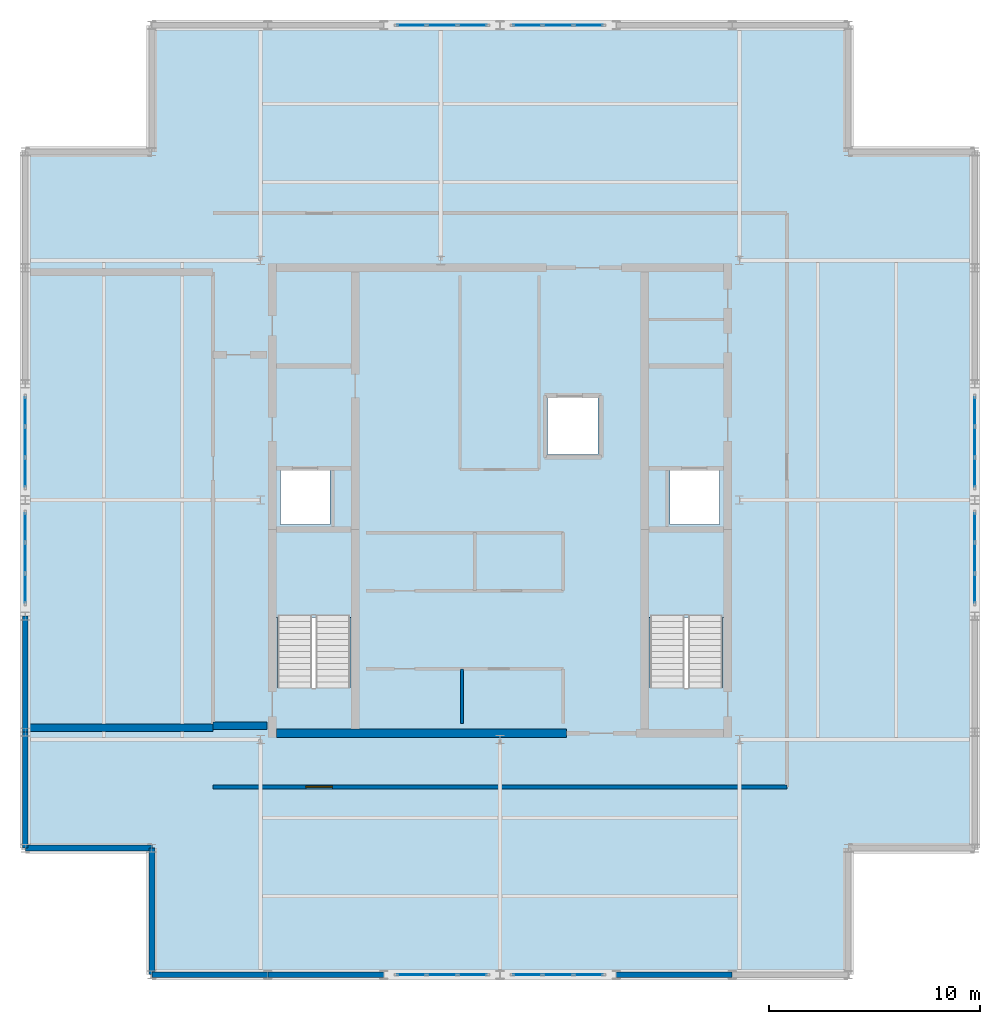
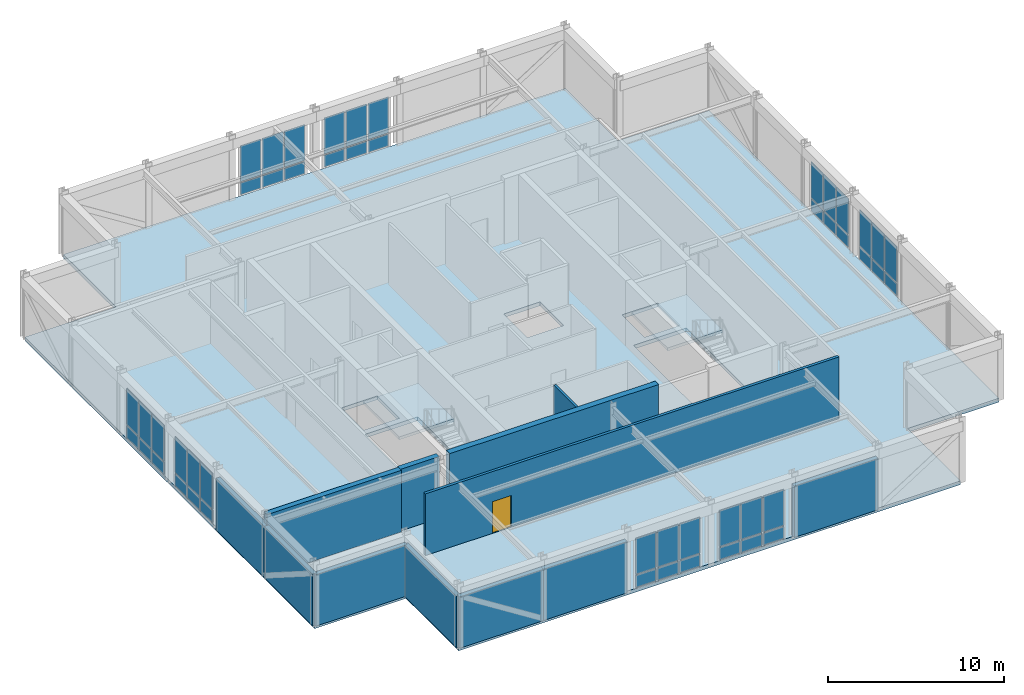
# One storey, part 6 of 9: 48 plates, 12 walls, 3 slabs, 1 door, 1 opening, 10 elements without a shape of their own.
"""IFC4 building model written with IfcOpenShell, lengths in metres."""

from ifc_helpers import new_model, si_unit, direction, frame, frame_2d, origin, origin_2d, place, context, subcontext, project, spatial, polyline, rectangle, outline, extrude, material, layer, layer_set, type_object, element, fill, aggregate, save


model = new_model("IFC4")

# Units and contexts
model_context = context("Model", 3, precision=1e-05, world=origin(), true_north=direction((0.0, 1.0)))
body_context = subcontext(model_context, "Body", "Model", "MODEL_VIEW")
ifc_project = project(units=[si_unit("LENGTHUNIT", "METRE"), si_unit("AREAUNIT", "SQUARE_METRE"), si_unit("VOLUMEUNIT", "CUBIC_METRE"), si_unit("PLANEANGLEUNIT", "RADIAN"), si_unit("MASSUNIT", "GRAM", prefix="KILO")], contexts=[model_context])

# Site, building, storey
site_placement = place(None, origin())
site = spatial("IfcSite", under=ifc_project, at=site_placement, CompositionType="ELEMENT")
building_placement = place(site_placement, origin())
building = spatial("IfcBuilding", under=site, at=building_placement, Name="Nhamokura Convention Tower", CompositionType="ELEMENT")
storey_placement = place(building_placement, frame((0.0, 0.0, 317.800048828125)))
storey = spatial("IfcBuildingStorey", under=building, at=storey_placement, Name="L78", CompositionType="ELEMENT", Elevation=317.800048828125)

# Curtain wall, plates
ifc_material_1 = material(Name="Anodised bronze aluminium AA6063-T6", Category="aluminium")
ifc_layer_1 = layer(ifc_material_1, 0.2099609375)
ifc_layer_set_1 = layer_set([ifc_layer_1], Name="CWSystem_SlantedCrown")
curtain_wall_type = type_object("IfcCurtainWallType", Name="CWSystem_SlantedCrown", PredefinedType="NOTDEFINED", material=ifc_layer_set_1)
curtain_wall_1_placement = place(storey_placement, origin())
curtain_wall_1 = element("IfcCurtainWall", 1, at=curtain_wall_1_placement, inside=storey, type_object=curtain_wall_type, Name="L78 Curtain Wall ENV-L78-CRCW-S2", PredefinedType="NOTDEFINED")
ifc_material_2 = material(Name="Solar-control bronze low-E double glass", Category="glass")
ifc_layer_2 = layer(ifc_material_2, 0.0400390625)
ifc_layer_set_2 = layer_set([ifc_layer_2], Name="CWGlazedPanel_3")
plate_type = type_object("IfcPlateType", Name="CWGlazedPanel_3", PredefinedType="CURTAIN_PANEL", material=ifc_layer_set_2)
plate_1_placement = place(storey_placement, frame((30.69677734375, 9.5, 0.079833984375), z_axis=(0.0, 0.0, 1.0), x_axis=(-1.0, 0.0, 0.0)))
plate_1 = element("IfcPlate", 2, at=plate_1_placement, type_object=plate_type, Name="CW-07 panel 1.1", PredefinedType="CURTAIN_PANEL", context=body_context, shape_type="SweptSolid", body=[
    extrude(rectangle(XDim=1.3466796875, YDim=0.0400390625, at=origin_2d()), origin(), (0.0, 0.0, 1.0), 0.830078125),
])
plate_2_placement = place(storey_placement, frame((30.69677734375, 9.5, 0.989990234375), z_axis=(0.0, 0.0, 1.0), x_axis=(-1.0, 0.0, 0.0)))
plate_2 = element("IfcPlate", 3, at=plate_2_placement, type_object=plate_type, Name="CW-07 panel 1.2", PredefinedType="CURTAIN_PANEL", context=body_context, shape_type="SweptSolid", body=[
    extrude(rectangle(XDim=1.3466796875, YDim=0.0400390625, at=origin_2d()), origin(), (0.0, 0.0, 1.0), 2.5),
])
plate_3_placement = place(storey_placement, frame((29.25, 9.5, 0.079833984375), z_axis=(0.0, 0.0, 1.0), x_axis=(-1.0, 0.0, 0.0)))
plate_3 = element("IfcPlate", 4, at=plate_3_placement, type_object=plate_type, Name="CW-07 panel 2.1", PredefinedType="CURTAIN_PANEL", context=body_context, shape_type="SweptSolid", body=[
    extrude(rectangle(XDim=1.38671875, YDim=0.0400390625, at=origin_2d()), origin(), (0.0, 0.0, 1.0), 0.830078125),
])
plate_4_placement = place(storey_placement, frame((29.25, 9.5, 0.989990234375), z_axis=(0.0, 0.0, 1.0), x_axis=(-1.0, 0.0, 0.0)))
plate_4 = element("IfcPlate", 5, at=plate_4_placement, type_object=plate_type, Name="CW-07 panel 2.2", PredefinedType="CURTAIN_PANEL", context=body_context, shape_type="SweptSolid", body=[
    extrude(rectangle(XDim=1.38671875, YDim=0.0400390625, at=origin_2d()), origin(), (0.0, 0.0, 1.0), 2.5),
])
plate_5_placement = place(storey_placement, frame((27.80322265625, 9.5, 0.079833984375), z_axis=(0.0, 0.0, 1.0), x_axis=(-1.0, 0.0, 0.0)))
plate_5 = element("IfcPlate", 6, at=plate_5_placement, type_object=plate_type, Name="CW-07 panel 3.1", PredefinedType="CURTAIN_PANEL", context=body_context, shape_type="SweptSolid", body=[
    extrude(rectangle(XDim=1.3466796875, YDim=0.0400390625, at=origin_2d()), origin(), (0.0, 0.0, 1.0), 0.830078125),
])
plate_6_placement = place(storey_placement, frame((27.80322265625, 9.5, 0.989990234375), z_axis=(0.0, 0.0, 1.0), x_axis=(-1.0, 0.0, 0.0)))
plate_6 = element("IfcPlate", 7, at=plate_6_placement, type_object=plate_type, Name="CW-07 panel 3.2", PredefinedType="CURTAIN_PANEL", context=body_context, shape_type="SweptSolid", body=[
    extrude(rectangle(XDim=1.3466796875, YDim=0.0400390625, at=origin_2d()), origin(), (0.0, 0.0, 1.0), 2.5),
])
aggregate(curtain_wall_1, [plate_1, plate_2, plate_3, plate_4, plate_5, plate_6])

curtain_wall_2_placement = place(storey_placement, origin())
curtain_wall_2 = element("IfcCurtainWall", 8, at=curtain_wall_2_placement, inside=storey, type_object=curtain_wall_type, Name="L78 Curtain Wall ENV-L78-CRCW-S3", PredefinedType="NOTDEFINED")
plate_7_placement = place(storey_placement, frame((36.19677734375, 9.5, 0.079833984375), z_axis=(0.0, 0.0, 1.0), x_axis=(-1.0, 0.0, 0.0)))
plate_7 = element("IfcPlate", 9, at=plate_7_placement, type_object=plate_type, Name="CW-07 panel 1.1", PredefinedType="CURTAIN_PANEL", context=body_context, shape_type="SweptSolid", body=[
    extrude(rectangle(XDim=1.3466796875, YDim=0.0400390625, at=origin_2d()), origin(), (0.0, 0.0, 1.0), 0.830078125),
])
plate_8_placement = place(storey_placement, frame((36.19677734375, 9.5, 0.989990234375), z_axis=(0.0, 0.0, 1.0), x_axis=(-1.0, 0.0, 0.0)))
plate_8 = element("IfcPlate", 10, at=plate_8_placement, type_object=plate_type, Name="CW-07 panel 1.2", PredefinedType="CURTAIN_PANEL", context=body_context, shape_type="SweptSolid", body=[
    extrude(rectangle(XDim=1.3466796875, YDim=0.0400390625, at=origin_2d()), origin(), (0.0, 0.0, 1.0), 2.5),
])
plate_9_placement = place(storey_placement, frame((34.75, 9.5, 0.079833984375), z_axis=(0.0, 0.0, 1.0), x_axis=(-1.0, 0.0, 0.0)))
plate_9 = element("IfcPlate", 11, at=plate_9_placement, type_object=plate_type, Name="CW-07 panel 2.1", PredefinedType="CURTAIN_PANEL", context=body_context, shape_type="SweptSolid", body=[
    extrude(rectangle(XDim=1.38671875, YDim=0.0400390625, at=origin_2d()), origin(), (0.0, 0.0, 1.0), 0.830078125),
])
plate_10_placement = place(storey_placement, frame((34.75, 9.5, 0.989990234375), z_axis=(0.0, 0.0, 1.0), x_axis=(-1.0, 0.0, 0.0)))
plate_10 = element("IfcPlate", 12, at=plate_10_placement, type_object=plate_type, Name="CW-07 panel 2.2", PredefinedType="CURTAIN_PANEL", context=body_context, shape_type="SweptSolid", body=[
    extrude(rectangle(XDim=1.38671875, YDim=0.0400390625, at=origin_2d()), origin(), (0.0, 0.0, 1.0), 2.5),
])
plate_11_placement = place(storey_placement, frame((33.30322265625, 9.5, 0.079833984375), z_axis=(0.0, 0.0, 1.0), x_axis=(-1.0, 0.0, 0.0)))
plate_11 = element("IfcPlate", 13, at=plate_11_placement, type_object=plate_type, Name="CW-07 panel 3.1", PredefinedType="CURTAIN_PANEL", context=body_context, shape_type="SweptSolid", body=[
    extrude(rectangle(XDim=1.3466796875, YDim=0.0400390625, at=origin_2d()), origin(), (0.0, 0.0, 1.0), 0.830078125),
])
plate_12_placement = place(storey_placement, frame((33.30322265625, 9.5, 0.989990234375), z_axis=(0.0, 0.0, 1.0), x_axis=(-1.0, 0.0, 0.0)))
plate_12 = element("IfcPlate", 14, at=plate_12_placement, type_object=plate_type, Name="CW-07 panel 3.2", PredefinedType="CURTAIN_PANEL", context=body_context, shape_type="SweptSolid", body=[
    extrude(rectangle(XDim=1.3466796875, YDim=0.0400390625, at=origin_2d()), origin(), (0.0, 0.0, 1.0), 2.5),
])
aggregate(curtain_wall_2, [plate_7, plate_8, plate_9, plate_10, plate_11, plate_12])

curtain_wall_3_placement = place(storey_placement, origin())
curtain_wall_3 = element("IfcCurtainWall", 15, at=curtain_wall_3_placement, inside=storey, type_object=curtain_wall_type, Name="L78 Curtain Wall ENV-L78-CRCW-N2", PredefinedType="NOTDEFINED")
plate_13_placement = place(storey_placement, frame((27.80322265625, 54.5, 0.079833984375), z_axis=(0.0, 0.0, 1.0), x_axis=(1.0, 0.0, 0.0)))
plate_13 = element("IfcPlate", 16, at=plate_13_placement, type_object=plate_type, Name="CW-07 panel 1.1", PredefinedType="CURTAIN_PANEL", context=body_context, shape_type="SweptSolid", body=[
    extrude(rectangle(XDim=1.3466796875, YDim=0.0400390625, at=origin_2d()), origin(), (0.0, 0.0, 1.0), 0.830078125),
])
plate_14_placement = place(storey_placement, frame((27.80322265625, 54.5, 0.989990234375), z_axis=(0.0, 0.0, 1.0), x_axis=(1.0, 0.0, 0.0)))
plate_14 = element("IfcPlate", 17, at=plate_14_placement, type_object=plate_type, Name="CW-07 panel 1.2", PredefinedType="CURTAIN_PANEL", context=body_context, shape_type="SweptSolid", body=[
    extrude(rectangle(XDim=1.3466796875, YDim=0.0400390625, at=origin_2d()), origin(), (0.0, 0.0, 1.0), 2.5),
])
plate_15_placement = place(storey_placement, frame((29.25, 54.5, 0.079833984375), z_axis=(0.0, 0.0, 1.0), x_axis=(1.0, 0.0, 0.0)))
plate_15 = element("IfcPlate", 18, at=plate_15_placement, type_object=plate_type, Name="CW-07 panel 2.1", PredefinedType="CURTAIN_PANEL", context=body_context, shape_type="SweptSolid", body=[
    extrude(rectangle(XDim=1.38671875, YDim=0.0400390625, at=origin_2d()), origin(), (0.0, 0.0, 1.0), 0.830078125),
])
plate_16_placement = place(storey_placement, frame((29.25, 54.5, 0.989990234375), z_axis=(0.0, 0.0, 1.0), x_axis=(1.0, 0.0, 0.0)))
plate_16 = element("IfcPlate", 19, at=plate_16_placement, type_object=plate_type, Name="CW-07 panel 2.2", PredefinedType="CURTAIN_PANEL", context=body_context, shape_type="SweptSolid", body=[
    extrude(rectangle(XDim=1.38671875, YDim=0.0400390625, at=origin_2d()), origin(), (0.0, 0.0, 1.0), 2.5),
])
plate_17_placement = place(storey_placement, frame((30.69677734375, 54.5, 0.079833984375), z_axis=(0.0, 0.0, 1.0), x_axis=(1.0, 0.0, 0.0)))
plate_17 = element("IfcPlate", 20, at=plate_17_placement, type_object=plate_type, Name="CW-07 panel 3.1", PredefinedType="CURTAIN_PANEL", context=body_context, shape_type="SweptSolid", body=[
    extrude(rectangle(XDim=1.3466796875, YDim=0.0400390625, at=origin_2d()), origin(), (0.0, 0.0, 1.0), 0.830078125),
])
plate_18_placement = place(storey_placement, frame((30.69677734375, 54.5, 0.989990234375), z_axis=(0.0, 0.0, 1.0), x_axis=(1.0, 0.0, 0.0)))
plate_18 = element("IfcPlate", 21, at=plate_18_placement, type_object=plate_type, Name="CW-07 panel 3.2", PredefinedType="CURTAIN_PANEL", context=body_context, shape_type="SweptSolid", body=[
    extrude(rectangle(XDim=1.3466796875, YDim=0.0400390625, at=origin_2d()), origin(), (0.0, 0.0, 1.0), 2.5),
])
aggregate(curtain_wall_3, [plate_13, plate_14, plate_15, plate_16, plate_17, plate_18])

curtain_wall_4_placement = place(storey_placement, origin())
curtain_wall_4 = element("IfcCurtainWall", 22, at=curtain_wall_4_placement, inside=storey, type_object=curtain_wall_type, Name="L78 Curtain Wall ENV-L78-CRCW-N3", PredefinedType="NOTDEFINED")
plate_19_placement = place(storey_placement, frame((33.30322265625, 54.5, 0.079833984375), z_axis=(0.0, 0.0, 1.0), x_axis=(1.0, 0.0, 0.0)))
plate_19 = element("IfcPlate", 23, at=plate_19_placement, type_object=plate_type, Name="CW-07 panel 1.1", PredefinedType="CURTAIN_PANEL", context=body_context, shape_type="SweptSolid", body=[
    extrude(rectangle(XDim=1.3466796875, YDim=0.0400390625, at=origin_2d()), origin(), (0.0, 0.0, 1.0), 0.830078125),
])
plate_20_placement = place(storey_placement, frame((33.30322265625, 54.5, 0.989990234375), z_axis=(0.0, 0.0, 1.0), x_axis=(1.0, 0.0, 0.0)))
plate_20 = element("IfcPlate", 24, at=plate_20_placement, type_object=plate_type, Name="CW-07 panel 1.2", PredefinedType="CURTAIN_PANEL", context=body_context, shape_type="SweptSolid", body=[
    extrude(rectangle(XDim=1.3466796875, YDim=0.0400390625, at=origin_2d()), origin(), (0.0, 0.0, 1.0), 2.5),
])
plate_21_placement = place(storey_placement, frame((34.75, 54.5, 0.079833984375), z_axis=(0.0, 0.0, 1.0), x_axis=(1.0, 0.0, 0.0)))
plate_21 = element("IfcPlate", 25, at=plate_21_placement, type_object=plate_type, Name="CW-07 panel 2.1", PredefinedType="CURTAIN_PANEL", context=body_context, shape_type="SweptSolid", body=[
    extrude(rectangle(XDim=1.38671875, YDim=0.0400390625, at=origin_2d()), origin(), (0.0, 0.0, 1.0), 0.830078125),
])
plate_22_placement = place(storey_placement, frame((34.75, 54.5, 0.989990234375), z_axis=(0.0, 0.0, 1.0), x_axis=(1.0, 0.0, 0.0)))
plate_22 = element("IfcPlate", 26, at=plate_22_placement, type_object=plate_type, Name="CW-07 panel 2.2", PredefinedType="CURTAIN_PANEL", context=body_context, shape_type="SweptSolid", body=[
    extrude(rectangle(XDim=1.38671875, YDim=0.0400390625, at=origin_2d()), origin(), (0.0, 0.0, 1.0), 2.5),
])
plate_23_placement = place(storey_placement, frame((36.19677734375, 54.5, 0.079833984375), z_axis=(0.0, 0.0, 1.0), x_axis=(1.0, 0.0, 0.0)))
plate_23 = element("IfcPlate", 27, at=plate_23_placement, type_object=plate_type, Name="CW-07 panel 3.1", PredefinedType="CURTAIN_PANEL", context=body_context, shape_type="SweptSolid", body=[
    extrude(rectangle(XDim=1.3466796875, YDim=0.0400390625, at=origin_2d()), origin(), (0.0, 0.0, 1.0), 0.830078125),
])
plate_24_placement = place(storey_placement, frame((36.19677734375, 54.5, 0.989990234375), z_axis=(0.0, 0.0, 1.0), x_axis=(1.0, 0.0, 0.0)))
plate_24 = element("IfcPlate", 28, at=plate_24_placement, type_object=plate_type, Name="CW-07 panel 3.2", PredefinedType="CURTAIN_PANEL", context=body_context, shape_type="SweptSolid", body=[
    extrude(rectangle(XDim=1.3466796875, YDim=0.0400390625, at=origin_2d()), origin(), (0.0, 0.0, 1.0), 2.5),
])
aggregate(curtain_wall_4, [plate_19, plate_20, plate_21, plate_22, plate_23, plate_24])

curtain_wall_5_placement = place(storey_placement, origin())
curtain_wall_5 = element("IfcCurtainWall", 29, at=curtain_wall_5_placement, inside=storey, type_object=curtain_wall_type, Name="L78 Curtain Wall ENV-L78-CRCW-W2", PredefinedType="NOTDEFINED")
plate_25_placement = place(storey_placement, frame((9.5, 27.80322265625, 0.079833984375), z_axis=(0.0, 0.0, 1.0), x_axis=(0.0, 1.0, 0.0)))
plate_25 = element("IfcPlate", 30, at=plate_25_placement, type_object=plate_type, Name="CW-07 panel 1.1", PredefinedType="CURTAIN_PANEL", context=body_context, shape_type="SweptSolid", body=[
    extrude(rectangle(XDim=1.3466796875, YDim=0.0400390625, at=origin_2d()), origin(), (0.0, 0.0, 1.0), 0.830078125),
])
plate_26_placement = place(storey_placement, frame((9.5, 27.80322265625, 0.989990234375), z_axis=(0.0, 0.0, 1.0), x_axis=(0.0, 1.0, 0.0)))
plate_26 = element("IfcPlate", 31, at=plate_26_placement, type_object=plate_type, Name="CW-07 panel 1.2", PredefinedType="CURTAIN_PANEL", context=body_context, shape_type="SweptSolid", body=[
    extrude(rectangle(XDim=1.3466796875, YDim=0.0400390625, at=origin_2d()), origin(), (0.0, 0.0, 1.0), 2.5),
])
plate_27_placement = place(storey_placement, frame((9.5, 29.25, 0.079833984375), z_axis=(0.0, 0.0, 1.0), x_axis=(0.0, 1.0, 0.0)))
plate_27 = element("IfcPlate", 32, at=plate_27_placement, type_object=plate_type, Name="CW-07 panel 2.1", PredefinedType="CURTAIN_PANEL", context=body_context, shape_type="SweptSolid", body=[
    extrude(rectangle(XDim=1.38671875, YDim=0.0400390625, at=origin_2d()), origin(), (0.0, 0.0, 1.0), 0.830078125),
])
plate_28_placement = place(storey_placement, frame((9.5, 29.25, 0.989990234375), z_axis=(0.0, 0.0, 1.0), x_axis=(0.0, 1.0, 0.0)))
plate_28 = element("IfcPlate", 33, at=plate_28_placement, type_object=plate_type, Name="CW-07 panel 2.2", PredefinedType="CURTAIN_PANEL", context=body_context, shape_type="SweptSolid", body=[
    extrude(rectangle(XDim=1.38671875, YDim=0.0400390625, at=origin_2d()), origin(), (0.0, 0.0, 1.0), 2.5),
])
plate_29_placement = place(storey_placement, frame((9.5, 30.69677734375, 0.079833984375), z_axis=(0.0, 0.0, 1.0), x_axis=(0.0, 1.0, 0.0)))
plate_29 = element("IfcPlate", 34, at=plate_29_placement, type_object=plate_type, Name="CW-07 panel 3.1", PredefinedType="CURTAIN_PANEL", context=body_context, shape_type="SweptSolid", body=[
    extrude(rectangle(XDim=1.3466796875, YDim=0.0400390625, at=origin_2d()), origin(), (0.0, 0.0, 1.0), 0.830078125),
])
plate_30_placement = place(storey_placement, frame((9.5, 30.69677734375, 0.989990234375), z_axis=(0.0, 0.0, 1.0), x_axis=(0.0, 1.0, 0.0)))
plate_30 = element("IfcPlate", 35, at=plate_30_placement, type_object=plate_type, Name="CW-07 panel 3.2", PredefinedType="CURTAIN_PANEL", context=body_context, shape_type="SweptSolid", body=[
    extrude(rectangle(XDim=1.3466796875, YDim=0.0400390625, at=origin_2d()), origin(), (0.0, 0.0, 1.0), 2.5),
])
aggregate(curtain_wall_5, [plate_25, plate_26, plate_27, plate_28, plate_29, plate_30])

curtain_wall_6_placement = place(storey_placement, origin())
curtain_wall_6 = element("IfcCurtainWall", 36, at=curtain_wall_6_placement, inside=storey, type_object=curtain_wall_type, Name="L78 Curtain Wall ENV-L78-CRCW-W3", PredefinedType="NOTDEFINED")
plate_31_placement = place(storey_placement, frame((9.5, 33.30322265625, 0.079833984375), z_axis=(0.0, 0.0, 1.0), x_axis=(0.0, 1.0, 0.0)))
plate_31 = element("IfcPlate", 37, at=plate_31_placement, type_object=plate_type, Name="CW-07 panel 1.1", PredefinedType="CURTAIN_PANEL", context=body_context, shape_type="SweptSolid", body=[
    extrude(rectangle(XDim=1.3466796875, YDim=0.0400390625, at=origin_2d()), origin(), (0.0, 0.0, 1.0), 0.830078125),
])
plate_32_placement = place(storey_placement, frame((9.5, 33.30322265625, 0.989990234375), z_axis=(0.0, 0.0, 1.0), x_axis=(0.0, 1.0, 0.0)))
plate_32 = element("IfcPlate", 38, at=plate_32_placement, type_object=plate_type, Name="CW-07 panel 1.2", PredefinedType="CURTAIN_PANEL", context=body_context, shape_type="SweptSolid", body=[
    extrude(rectangle(XDim=1.3466796875, YDim=0.0400390625, at=origin_2d()), origin(), (0.0, 0.0, 1.0), 2.5),
])
plate_33_placement = place(storey_placement, frame((9.5, 34.75, 0.079833984375), z_axis=(0.0, 0.0, 1.0), x_axis=(0.0, 1.0, 0.0)))
plate_33 = element("IfcPlate", 39, at=plate_33_placement, type_object=plate_type, Name="CW-07 panel 2.1", PredefinedType="CURTAIN_PANEL", context=body_context, shape_type="SweptSolid", body=[
    extrude(rectangle(XDim=1.38671875, YDim=0.0400390625, at=origin_2d()), origin(), (0.0, 0.0, 1.0), 0.830078125),
])
plate_34_placement = place(storey_placement, frame((9.5, 34.75, 0.989990234375), z_axis=(0.0, 0.0, 1.0), x_axis=(0.0, 1.0, 0.0)))
plate_34 = element("IfcPlate", 40, at=plate_34_placement, type_object=plate_type, Name="CW-07 panel 2.2", PredefinedType="CURTAIN_PANEL", context=body_context, shape_type="SweptSolid", body=[
    extrude(rectangle(XDim=1.38671875, YDim=0.0400390625, at=origin_2d()), origin(), (0.0, 0.0, 1.0), 2.5),
])
plate_35_placement = place(storey_placement, frame((9.5, 36.19677734375, 0.079833984375), z_axis=(0.0, 0.0, 1.0), x_axis=(0.0, 1.0, 0.0)))
plate_35 = element("IfcPlate", 41, at=plate_35_placement, type_object=plate_type, Name="CW-07 panel 3.1", PredefinedType="CURTAIN_PANEL", context=body_context, shape_type="SweptSolid", body=[
    extrude(rectangle(XDim=1.3466796875, YDim=0.0400390625, at=origin_2d()), origin(), (0.0, 0.0, 1.0), 0.830078125),
])
plate_36_placement = place(storey_placement, frame((9.5, 36.19677734375, 0.989990234375), z_axis=(0.0, 0.0, 1.0), x_axis=(0.0, 1.0, 0.0)))
plate_36 = element("IfcPlate", 42, at=plate_36_placement, type_object=plate_type, Name="CW-07 panel 3.2", PredefinedType="CURTAIN_PANEL", context=body_context, shape_type="SweptSolid", body=[
    extrude(rectangle(XDim=1.3466796875, YDim=0.0400390625, at=origin_2d()), origin(), (0.0, 0.0, 1.0), 2.5),
])
aggregate(curtain_wall_6, [plate_31, plate_32, plate_33, plate_34, plate_35, plate_36])

curtain_wall_7_placement = place(storey_placement, origin())
curtain_wall_7 = element("IfcCurtainWall", 43, at=curtain_wall_7_placement, inside=storey, type_object=curtain_wall_type, Name="L78 Curtain Wall ENV-L78-CRCW-E2", PredefinedType="NOTDEFINED")
plate_37_placement = place(storey_placement, frame((54.5, 30.69677734375, 0.079833984375), z_axis=(0.0, 0.0, 1.0), x_axis=(0.0, -1.0, 0.0)))
plate_37 = element("IfcPlate", 44, at=plate_37_placement, type_object=plate_type, Name="CW-07 panel 1.1", PredefinedType="CURTAIN_PANEL", context=body_context, shape_type="SweptSolid", body=[
    extrude(rectangle(XDim=1.3466796875, YDim=0.0400390625, at=origin_2d()), origin(), (0.0, 0.0, 1.0), 0.830078125),
])
plate_38_placement = place(storey_placement, frame((54.5, 30.69677734375, 0.989990234375), z_axis=(0.0, 0.0, 1.0), x_axis=(0.0, -1.0, 0.0)))
plate_38 = element("IfcPlate", 45, at=plate_38_placement, type_object=plate_type, Name="CW-07 panel 1.2", PredefinedType="CURTAIN_PANEL", context=body_context, shape_type="SweptSolid", body=[
    extrude(rectangle(XDim=1.3466796875, YDim=0.0400390625, at=origin_2d()), origin(), (0.0, 0.0, 1.0), 2.5),
])
plate_39_placement = place(storey_placement, frame((54.5, 29.25, 0.079833984375), z_axis=(0.0, 0.0, 1.0), x_axis=(0.0, -1.0, 0.0)))
plate_39 = element("IfcPlate", 46, at=plate_39_placement, type_object=plate_type, Name="CW-07 panel 2.1", PredefinedType="CURTAIN_PANEL", context=body_context, shape_type="SweptSolid", body=[
    extrude(rectangle(XDim=1.38671875, YDim=0.0400390625, at=origin_2d()), origin(), (0.0, 0.0, 1.0), 0.830078125),
])
plate_40_placement = place(storey_placement, frame((54.5, 29.25, 0.989990234375), z_axis=(0.0, 0.0, 1.0), x_axis=(0.0, -1.0, 0.0)))
plate_40 = element("IfcPlate", 47, at=plate_40_placement, type_object=plate_type, Name="CW-07 panel 2.2", PredefinedType="CURTAIN_PANEL", context=body_context, shape_type="SweptSolid", body=[
    extrude(rectangle(XDim=1.38671875, YDim=0.0400390625, at=origin_2d()), origin(), (0.0, 0.0, 1.0), 2.5),
])
plate_41_placement = place(storey_placement, frame((54.5, 27.80322265625, 0.079833984375), z_axis=(0.0, 0.0, 1.0), x_axis=(0.0, -1.0, 0.0)))
plate_41 = element("IfcPlate", 48, at=plate_41_placement, type_object=plate_type, Name="CW-07 panel 3.1", PredefinedType="CURTAIN_PANEL", context=body_context, shape_type="SweptSolid", body=[
    extrude(rectangle(XDim=1.3466796875, YDim=0.0400390625, at=origin_2d()), origin(), (0.0, 0.0, 1.0), 0.830078125),
])
plate_42_placement = place(storey_placement, frame((54.5, 27.80322265625, 0.989990234375), z_axis=(0.0, 0.0, 1.0), x_axis=(0.0, -1.0, 0.0)))
plate_42 = element("IfcPlate", 49, at=plate_42_placement, type_object=plate_type, Name="CW-07 panel 3.2", PredefinedType="CURTAIN_PANEL", context=body_context, shape_type="SweptSolid", body=[
    extrude(rectangle(XDim=1.3466796875, YDim=0.0400390625, at=origin_2d()), origin(), (0.0, 0.0, 1.0), 2.5),
])
aggregate(curtain_wall_7, [plate_37, plate_38, plate_39, plate_40, plate_41, plate_42])

curtain_wall_8_placement = place(storey_placement, origin())
curtain_wall_8 = element("IfcCurtainWall", 50, at=curtain_wall_8_placement, inside=storey, type_object=curtain_wall_type, Name="L78 Curtain Wall ENV-L78-CRCW-E3", PredefinedType="NOTDEFINED")
plate_43_placement = place(storey_placement, frame((54.5, 36.19677734375, 0.079833984375), z_axis=(0.0, 0.0, 1.0), x_axis=(0.0, -1.0, 0.0)))
plate_43 = element("IfcPlate", 51, at=plate_43_placement, type_object=plate_type, Name="CW-07 panel 1.1", PredefinedType="CURTAIN_PANEL", context=body_context, shape_type="SweptSolid", body=[
    extrude(rectangle(XDim=1.3466796875, YDim=0.0400390625, at=origin_2d()), origin(), (0.0, 0.0, 1.0), 0.830078125),
])
plate_44_placement = place(storey_placement, frame((54.5, 36.19677734375, 0.989990234375), z_axis=(0.0, 0.0, 1.0), x_axis=(0.0, -1.0, 0.0)))
plate_44 = element("IfcPlate", 52, at=plate_44_placement, type_object=plate_type, Name="CW-07 panel 1.2", PredefinedType="CURTAIN_PANEL", context=body_context, shape_type="SweptSolid", body=[
    extrude(rectangle(XDim=1.3466796875, YDim=0.0400390625, at=origin_2d()), origin(), (0.0, 0.0, 1.0), 2.5),
])
plate_45_placement = place(storey_placement, frame((54.5, 34.75, 0.079833984375), z_axis=(0.0, 0.0, 1.0), x_axis=(0.0, -1.0, 0.0)))
plate_45 = element("IfcPlate", 53, at=plate_45_placement, type_object=plate_type, Name="CW-07 panel 2.1", PredefinedType="CURTAIN_PANEL", context=body_context, shape_type="SweptSolid", body=[
    extrude(rectangle(XDim=1.38671875, YDim=0.0400390625, at=origin_2d()), origin(), (0.0, 0.0, 1.0), 0.830078125),
])
plate_46_placement = place(storey_placement, frame((54.5, 34.75, 0.989990234375), z_axis=(0.0, 0.0, 1.0), x_axis=(0.0, -1.0, 0.0)))
plate_46 = element("IfcPlate", 54, at=plate_46_placement, type_object=plate_type, Name="CW-07 panel 2.2", PredefinedType="CURTAIN_PANEL", context=body_context, shape_type="SweptSolid", body=[
    extrude(rectangle(XDim=1.38671875, YDim=0.0400390625, at=origin_2d()), origin(), (0.0, 0.0, 1.0), 2.5),
])
plate_47_placement = place(storey_placement, frame((54.5, 33.30322265625, 0.079833984375), z_axis=(0.0, 0.0, 1.0), x_axis=(0.0, -1.0, 0.0)))
plate_47 = element("IfcPlate", 55, at=plate_47_placement, type_object=plate_type, Name="CW-07 panel 3.1", PredefinedType="CURTAIN_PANEL", context=body_context, shape_type="SweptSolid", body=[
    extrude(rectangle(XDim=1.3466796875, YDim=0.0400390625, at=origin_2d()), origin(), (0.0, 0.0, 1.0), 0.830078125),
])
plate_48_placement = place(storey_placement, frame((54.5, 33.30322265625, 0.989990234375), z_axis=(0.0, 0.0, 1.0), x_axis=(0.0, -1.0, 0.0)))
plate_48 = element("IfcPlate", 56, at=plate_48_placement, type_object=plate_type, Name="CW-07 panel 3.2", PredefinedType="CURTAIN_PANEL", context=body_context, shape_type="SweptSolid", body=[
    extrude(rectangle(XDim=1.3466796875, YDim=0.0400390625, at=origin_2d()), origin(), (0.0, 0.0, 1.0), 2.5),
])
aggregate(curtain_wall_8, [plate_43, plate_44, plate_45, plate_46, plate_47, plate_48])

# Slab
ifc_material_3 = material(Name="Concrete C40/50", Category="concrete")
ifc_layer_3 = layer(ifc_material_3, 0.260009765625)
ifc_layer_set_3 = layer_set([ifc_layer_3], Name="RefugePlantSlab_260")
slab_type_1 = type_object("IfcSlabType", Name="RefugePlantSlab_260", PredefinedType="FLOOR", material=ifc_layer_set_3)
slab_1_placement = place(storey_placement, frame((0.0, 0.0, -0.260009765625)))
element("IfcSlab", 57, at=slab_1_placement, inside=storey, type_object=slab_type_1, Name="L78 Structural Floor Slab", PredefinedType="FLOOR", context=body_context, shape_type="SweptSolid", body=[
    extrude(outline(polyline([(15.5, 9.5), (48.5, 9.5), (48.5, 15.5), (54.5, 15.5), (54.5, 48.5), (48.5, 48.5), (48.5, 54.5), (15.5, 54.5), (15.5, 48.5), (9.5, 48.5), (9.5, 15.5), (15.5, 15.5), (15.5, 9.5)]), holes=[polyline([(24.89990234375, 23.10009765625), (24.89990234375, 30.449951171875), (21.449951171875, 30.449951171875), (21.449951171875, 23.10009765625), (24.89990234375, 23.10009765625)]), polyline([(42.550048828125, 23.10009765625), (42.550048828125, 30.449951171875), (39.10009765625, 30.449951171875), (39.10009765625, 23.10009765625), (42.550048828125, 23.10009765625)]), polyline([(21.60009765625, 30.85009765625), (23.949951171875, 30.85009765625), (23.949951171875, 33.39990234375), (21.60009765625, 33.39990234375), (21.60009765625, 30.85009765625)]), polyline([(40.050048828125, 30.85009765625), (42.39990234375, 30.85009765625), (42.39990234375, 33.39990234375), (40.050048828125, 33.39990234375), (40.050048828125, 30.85009765625)]), polyline([(34.25, 34.14990234375), (36.64990234375, 34.14990234375), (36.64990234375, 36.85009765625), (34.25, 36.85009765625), (34.25, 34.14990234375)])]), origin(), (0.0, 0.0, 1.0), 0.260009765625),
])

# Stair, slab
ifc_material_4 = material(Name="Concrete C40/50", Category="concrete")
stair_type = type_object("IfcStairType", Name="TowerCoreStair_1650", PredefinedType="HALF_TURN_STAIR", material=ifc_material_4)
stair_1_placement = place(storey_placement, origin())
stair_1 = element("IfcStair", 58, at=stair_1_placement, inside=storey, type_object=stair_type, Name="L78 West Core Smokeproof Stair ST-01", PredefinedType="HALF_TURN_STAIR")
ifc_material_5 = material(Name="Concrete C40/50", Category="concrete")
ifc_layer_4 = layer(ifc_material_5, 0.199951171875)
ifc_layer_set_4 = layer_set([ifc_layer_4], Name="StairLandingSlab_200")
slab_type_2 = type_object("IfcSlabType", Name="StairLandingSlab_200", PredefinedType="LANDING", material=ifc_layer_set_4)
slab_2_placement = place(storey_placement, frame((0.0, 0.0, 2.074951171875)))
slab_2 = element("IfcSlab", 59, at=slab_2_placement, type_object=slab_type_2, Name="ST-01 landing 1", PredefinedType="LANDING", context=body_context, shape_type="SweptSolid", body=[
    extrude(outline(polyline([(24.97998046875, 26.43994140625), (24.97998046875, 30.530029296875), (21.3701171875, 30.530029296875), (21.3701171875, 26.43994140625), (24.97998046875, 26.43994140625)])), origin(), (0.0, 0.0, 1.0), 0.199951171875),
])
aggregate(stair_1, [slab_2])

stair_2_placement = place(storey_placement, origin())
stair_2 = element("IfcStair", 60, at=stair_2_placement, inside=storey, type_object=stair_type, Name="L78 East Core Smokeproof Stair ST-02", PredefinedType="HALF_TURN_STAIR")
slab_3_placement = place(storey_placement, frame((0.0, 0.0, 2.074951171875)))
slab_3 = element("IfcSlab", 61, at=slab_3_placement, type_object=slab_type_2, Name="ST-02 landing 1", PredefinedType="LANDING", context=body_context, shape_type="SweptSolid", body=[
    extrude(outline(polyline([(42.6298828125, 26.43994140625), (42.6298828125, 30.530029296875), (39.02001953125, 30.530029296875), (39.02001953125, 26.43994140625), (42.6298828125, 26.43994140625)])), origin(), (0.0, 0.0, 1.0), 0.199951171875),
])
aggregate(stair_2, [slab_3])

# Walls
ifc_material_6 = material(Name="Bronze-pigmented precast concrete C45/55", Category="concrete")
ifc_layer_5 = layer(ifc_material_6, 0.280029296875)
ifc_layer_set_5 = layer_set([ifc_layer_5], Name="BronzePrecastSpandrel_280")
wall_type_1 = type_object("IfcWallType", Name="BronzePrecastSpandrel_280", PredefinedType="USERDEFINED", material=ifc_layer_set_5)
for number, where, z_axis, x_axis, name in (
    (62, (21.0, 9.5, 0.0), (0.0, 0.0, 1.0), (-1.0, 0.0, 0.0), "L78 Crown Wall SOUTH 0"),
    (63, (26.5, 9.5, 0.0), (0.0, 0.0, 1.0), (-1.0, 0.0, 0.0), "L78 Crown Wall SOUTH 1"),
    (64, (43.0, 9.5, 0.0), (0.0, 0.0, 1.0), (-1.0, 0.0, 0.0), "L78 Crown Wall SOUTH 4"),
    (65, (9.5, 15.5, 0.0), (0.0, 0.0, 1.0), (0.0, 1.0, 0.0), "L78 Crown Wall WEST 0"),
    (66, (9.5, 21.0, 0.0), (0.0, 0.0, 1.0), (0.0, 1.0, 0.0), "L78 Crown Wall WEST 1"),
):
    element("IfcWall", number, at=place(storey_placement, frame(where, z_axis=z_axis, x_axis=x_axis)), inside=storey, type_object=wall_type_1, Name=name, ObjectType="SPANDREL_WALL", PredefinedType="USERDEFINED", context=body_context, shape_type="SweptSolid", body=[
        extrude(rectangle(XDim=5.5, YDim=0.280029296875, at=frame_2d((2.75, 0.0))), origin(), (0.0, 0.0, 1.0), 3.570068359375),
    ])
for number, where, z_axis, x_axis, name in (
    (67, (15.5, 9.5, 0.0), (0.0, 0.0, 1.0), (0.0, 1.0, 0.0), "L78 Crown Notch Wall SW1"),
    (68, (15.5, 15.5, 0.0), (0.0, 0.0, 1.0), (-1.0, 0.0, 0.0), "L78 Crown Notch Wall SW2"),
):
    element("IfcWall", number, at=place(storey_placement, frame(where, z_axis=z_axis, x_axis=x_axis)), inside=storey, type_object=wall_type_1, Name=name, ObjectType="SPANDREL_WALL", PredefinedType="USERDEFINED", context=body_context, shape_type="SweptSolid", body=[
        extrude(rectangle(XDim=6.0, YDim=0.280029296875, at=frame_2d((3.0, 0.0))), origin(), (0.0, 0.0, 1.0), 3.570068359375),
    ])
ifc_material_7 = material(Name="Concrete C50/60", Category="concrete")
ifc_layer_6 = layer(ifc_material_7, 0.39990234375)
ifc_layer_set_6 = layer_set([ifc_layer_6], Name="CoreShearWall_400")
wall_type_2 = type_object("IfcWallType", Name="CoreShearWall_400", PredefinedType="SHEAR", material=ifc_layer_set_6)
wall_1_placement = place(storey_placement, frame((21.409912109375, 20.949951171875, 0.0), z_axis=(0.0, 0.0, 1.0), x_axis=(1.0, 0.0, 0.0)))
element("IfcWall", 69, at=wall_1_placement, inside=storey, type_object=wall_type_2, Name="L78 Core Shear Wall CW-S1", PredefinedType="SHEAR", context=body_context, shape_type="SweptSolid", body=[
    extrude(rectangle(XDim=13.739990234375, YDim=0.39990234375, at=frame_2d((6.8701171875, 0.0))), origin(), (0.0, 0.0, 1.0), 4.550048828125),
])

# Wall, opening, door
ifc_material_8 = material(Name="Fire-rated gypsum and masonry partition", Category="masonry")
ifc_layer_7 = layer(ifc_material_8, 0.179931640625)
ifc_layer_set_7 = layer_set([ifc_layer_7], Name="CorridorRatedWall_180")
wall_type_3 = type_object("IfcWallType", Name="CorridorRatedWall_180", PredefinedType="STANDARD", material=ifc_layer_set_7)
wall_2_placement = place(storey_placement, frame((18.39990234375, 18.39990234375, 0.0), z_axis=(0.0, 0.0, 1.0), x_axis=(1.0, 0.0, 0.0)))
wall_2 = element("IfcWall", 70, at=wall_2_placement, inside=storey, type_object=wall_type_3, Name="L78 Wall INT-L78-CW-S00", PredefinedType="STANDARD", context=body_context, shape_type="SweptSolid", body=[
    extrude(rectangle(XDim=27.2001953125, YDim=0.179931640625, at=frame_2d((13.60009765625, 0.0))), origin(), (0.0, 0.0, 1.0), 4.2900390625),
])
opening_placement = place(wall_2_placement, frame((4.39990234375, 0.0, 0.0)))
opening = element("IfcOpeningElement", 71, at=opening_placement, cuts=wall_2, Name="Opening D-12", PredefinedType="OPENING", context=body_context, shape_type="SweptSolid", body=[
    extrude(rectangle(XDim=1.25, YDim=2.199951171875, at=frame_2d((0.625, 1.10009765625))), frame((0.0, 0.099853515625, 0.0), z_axis=(0.0, -1.0, 0.0), x_axis=(1.0, 0.0, 0.0)), (0.0, 0.0, 1.0), 0.199951171875),
])
ifc_material_9 = material(Name="Fire-rated steel door", Category="steel")
door_type = type_object("IfcDoorType", Name="PlantServiceDoor_1250", OperationType="NOTDEFINED", PredefinedType="DOOR", material=ifc_material_9)
door_placement = place(opening_placement, origin())
door = element("IfcDoor", 72, at=door_placement, inside=storey, type_object=door_type, Name="L78 Smoke Pressurisation Plant S01 Door", OperationType="SINGLE_SWING_LEFT", OverallHeight=2.199951171875, OverallWidth=1.25, PredefinedType="DOOR", context=body_context, shape_type="SweptSolid", body=[
    extrude(rectangle(XDim=1.25, YDim=2.199951171875, at=frame_2d((0.625, 1.10009765625))), frame((0.0, 0.02490234375, 0.0), z_axis=(0.0, -1.0, 0.0), x_axis=(1.0, 0.0, 0.0)), (0.0, 0.0, 1.0), 0.050048828125),
])
fill(opening, door)

# Walls
ifc_material_10 = material(Name="Concrete C50/60", Category="concrete")
ifc_layer_8 = layer(ifc_material_10, 0.35009765625)
ifc_layer_set_8 = layer_set([ifc_layer_8], Name="FirewallPlant_350")
wall_type_4 = type_object("IfcWallType", Name="FirewallPlant_350", PredefinedType="STANDARD", material=ifc_layer_set_8)
wall_3_placement = place(storey_placement, frame((18.39990234375, 21.300048828125, 0.0), z_axis=(0.0, 0.0, 1.0), x_axis=(1.0, 0.0, 0.0)))
element("IfcWall", 73, at=wall_3_placement, inside=storey, type_object=wall_type_4, Name="L78 Wall INT-L78-RLOB-S", PredefinedType="STANDARD", context=body_context, shape_type="SweptSolid", body=[
    extrude(rectangle(XDim=2.550048828125, YDim=0.35009765625, at=frame_2d((1.27490234375, 0.0))), origin(), (0.0, 0.0, 1.0), 4.2900390625),
])
wall_4_placement = place(storey_placement, frame((9.56005859375, 21.199951171875, 0.0), z_axis=(0.0, 0.0, 1.0), x_axis=(1.0, 0.0, 0.0)))
element("IfcWall", 74, at=wall_4_placement, inside=storey, type_object=wall_type_4, Name="L78 Wall INT-L78-RWB-W", PredefinedType="STANDARD", context=body_context, shape_type="SweptSolid", body=[
    extrude(rectangle(XDim=8.83984375, YDim=0.35009765625, at=frame_2d((4.419921875, 0.0))), origin(), (0.0, 0.0, 1.0), 4.2900390625),
])
ifc_material_11 = material(Name="Acoustic gypsum stud partition", Category="masonry")
ifc_layer_9 = layer(ifc_material_11, 0.14990234375)
ifc_layer_set_9 = layer_set([ifc_layer_9], Name="InteriorPartition_150")
wall_type_5 = type_object("IfcWallType", Name="InteriorPartition_150", PredefinedType="STANDARD", material=ifc_layer_set_9)
wall_5_placement = place(storey_placement, frame((30.199951171875, 21.39990234375, 0.0), z_axis=(0.0, 0.0, 1.0), x_axis=(0.0, 1.0, 0.0)))
element("IfcWall", 75, at=wall_5_placement, inside=storey, type_object=wall_type_5, Name="L78 Wall INT-L78-B1R-M", PredefinedType="STANDARD", context=body_context, shape_type="SweptSolid", body=[
    extrude(rectangle(XDim=2.60009765625, YDim=0.14990234375, at=frame_2d((1.300048828125, 0.0))), origin(), (0.0, 0.0, 1.0), 4.2900390625),
])

save(model, "model.ifc")
